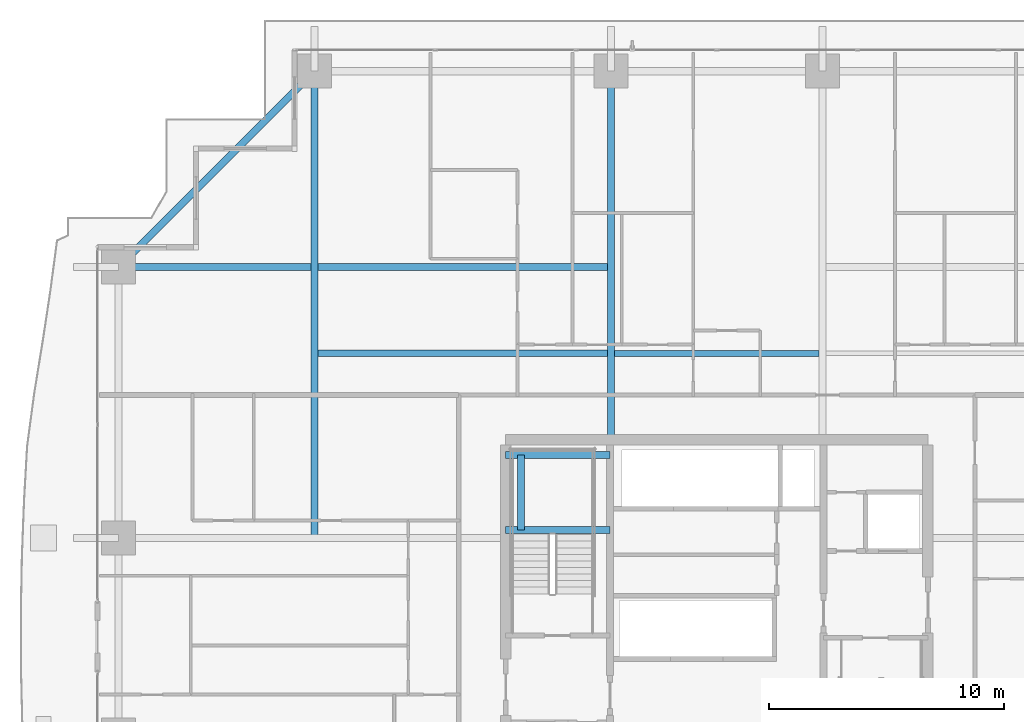
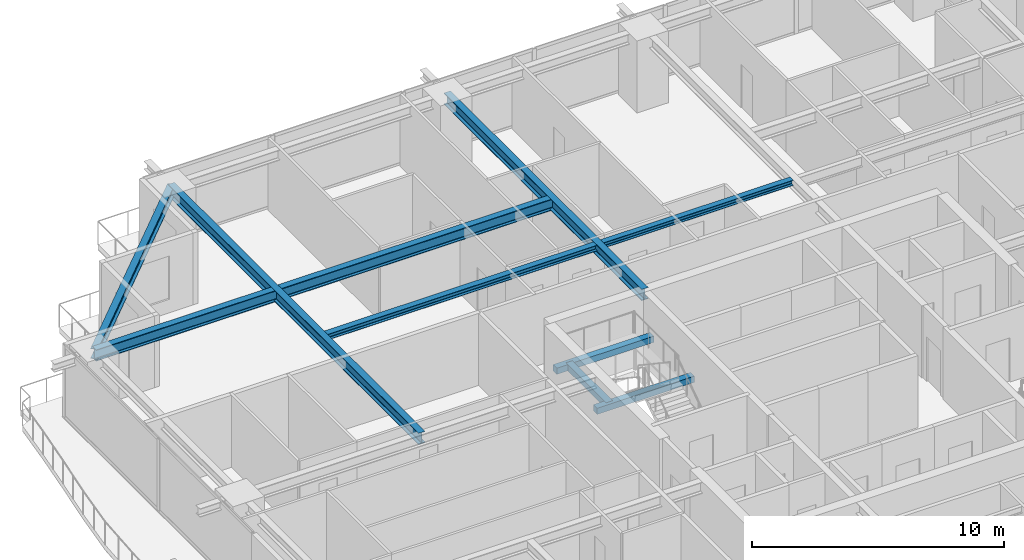
# One storey, part 19 of 41: 9 beams.
"""IFC4 building model written with IfcOpenShell, lengths in metres."""

from ifc_helpers import new_model, si_unit, direction, frame, origin, origin_2d, place, context, subcontext, project, spatial, rectangle, i_section, extrude, source, transform, mapped, material, material_profile, profile_set, type_object, element, save


model = new_model("IFC4")

# Units and contexts
model_context = context("Model", 3, precision=1e-05, world=origin(), true_north=direction((0.0, 1.0)))
body_context = subcontext(model_context, "Body", "Model", "MODEL_VIEW")
ifc_project = project(units=[si_unit("LENGTHUNIT", "METRE"), si_unit("AREAUNIT", "SQUARE_METRE"), si_unit("VOLUMEUNIT", "CUBIC_METRE"), si_unit("PLANEANGLEUNIT", "RADIAN"), si_unit("MASSUNIT", "GRAM", prefix="KILO")], contexts=[model_context])

# Site, building, storey
site_placement = place(None, origin())
site = spatial("IfcSite", under=ifc_project, at=site_placement, CompositionType="ELEMENT")
building_placement = place(site_placement, origin())
building = spatial("IfcBuilding", under=site, at=building_placement, Name="Serunith Strait Residences", CompositionType="ELEMENT")
storey_placement = place(building_placement, frame((0.0, 0.0, 75.449951171875)))
storey = spatial("IfcBuildingStorey", under=building, at=storey_placement, Name="L18", CompositionType="ELEMENT", Elevation=75.449951171875)

# Beams
ifc_material_1 = material(Name="Steel S355J2", Category="steel")
ifc_material_profile_1 = material_profile(ifc_material_1, i_section(OverallWidth=0.300048828125, OverallDepth=0.550048828125, WebThickness=0.014892578125, FlangeThickness=0.029052734375, FilletRadius=0.027099609375, at=origin_2d()), Name="HEB 550")
ifc_profile_set_1 = profile_set([ifc_material_profile_1], Name="Steel S355J2")
beam_type_1 = type_object("IfcBeamType", Name="BM-HEB550", PredefinedType="BEAM", material=ifc_profile_set_1)
shared_shape_1 = source(origin(), body_context, "Body", "SweptSolid", [
    extrude(i_section(OverallWidth=0.300048828125, OverallDepth=0.550048828125, WebThickness=0.014892578125, FlangeThickness=0.029052734375, FilletRadius=0.027099609375, at=origin_2d()), origin(), (0.0, 0.0, 1.0), 15.699951171875),
])
beam_1_placement = place(storey_placement, frame((27.89990234375, 33.60009765625, 3.212158203125), z_axis=(0.0, 1.0, 0.0), x_axis=(-1.0, 0.0, 0.0)))
element("IfcBeam", 1, at=beam_1_placement, inside=storey, type_object=beam_type_1, Name="L18 Primary Floor Girder TC-N2", PredefinedType="BEAM", context=body_context, shape_type="MappedRepresentation", body=[
    mapped(shared_shape_1, transform((0.0, 0.0, 0.0), scale=1.0)),
])
shared_shape_2 = source(origin(), body_context, "Body", "SweptSolid", [
    extrude(i_section(OverallWidth=0.300048828125, OverallDepth=0.550048828125, WebThickness=0.014892578125, FlangeThickness=0.029052734375, FilletRadius=0.027099609375, at=origin_2d()), origin(), (0.0, 0.0, 1.0), 19.900146484375),
])
beam_2_placement = place(storey_placement, frame((15.25, 29.39990234375, 3.212158203125), z_axis=(0.0, 1.0, 0.0), x_axis=(-1.0, 0.0, 0.0)))
element("IfcBeam", 2, at=beam_2_placement, inside=storey, type_object=beam_type_1, Name="L18 Orthogonal Corner Girder TC-N1", PredefinedType="BEAM", context=body_context, shape_type="MappedRepresentation", body=[
    mapped(shared_shape_2, transform((0.0, 0.0, 0.0), scale=1.0)),
])
shared_shape_3 = source(origin(), body_context, "Body", "SweptSolid", [
    extrude(i_section(OverallWidth=0.300048828125, OverallDepth=0.550048828125, WebThickness=0.014892578125, FlangeThickness=0.029052734375, FilletRadius=0.027099609375, at=origin_2d()), origin(), (0.0, 0.0, 1.0), 21.0),
])
beam_3_placement = place(storey_placement, frame((27.89990234375, 40.949951171875, 3.212158203125), z_axis=(-1.0, 0.0, 0.0), x_axis=(0.0, -1.0, 0.0)))
element("IfcBeam", 3, at=beam_3_placement, inside=storey, type_object=beam_type_1, Name="L18 Orthogonal Corner Girder TC-W4", PredefinedType="BEAM", context=body_context, shape_type="MappedRepresentation", body=[
    mapped(shared_shape_3, transform((0.0, 0.0, 0.0), scale=1.0)),
])
ifc_material_profile_2 = material_profile(ifc_material_1, i_section(OverallWidth=0.300048828125, OverallDepth=0.5, WebThickness=0.014404296875, FlangeThickness=0.028076171875, FilletRadius=0.027099609375, at=origin_2d()), Name="HEB 500")
ifc_profile_set_2 = profile_set([ifc_material_profile_2], Name="Steel S355J2")
beam_type_2 = type_object("IfcBeamType", Name="BM-HEB500", PredefinedType="BEAM", material=ifc_profile_set_2)
shared_shape_4 = source(origin(), body_context, "Body", "SweptSolid", [
    extrude(i_section(OverallWidth=0.300048828125, OverallDepth=0.5, WebThickness=0.014404296875, FlangeThickness=0.028076171875, FilletRadius=0.027099609375, at=origin_2d()), origin(), (0.0, 0.0, 1.0), 11.808837890625),
])
beam_4_placement = place(storey_placement, frame((15.25, 49.300048828125, 3.20703125), z_axis=(-0.707106781187, -0.707106781187, 0.0), x_axis=(0.707106781187, -0.707106781187, 0.0)))
element("IfcBeam", 4, at=beam_4_placement, inside=storey, type_object=beam_type_2, Name="L18 Perimeter Ring Beam 12", PredefinedType="BEAM", context=body_context, shape_type="MappedRepresentation", body=[
    mapped(shared_shape_4, transform((0.0, 0.0, 0.0), scale=1.0)),
])
ifc_material_profile_3 = material_profile(ifc_material_1, i_section(OverallWidth=0.280029296875, OverallDepth=0.280029296875, WebThickness=0.010498046875, FlangeThickness=0.01806640625, FilletRadius=0.02392578125, at=origin_2d()), Name="HEB 280")
ifc_profile_set_3 = profile_set([ifc_material_profile_3], Name="Steel S355J2")
beam_type_3 = type_object("IfcBeamType", Name="BM-HEB280", PredefinedType="JOIST", material=ifc_profile_set_3)
shared_shape_5 = source(origin(), body_context, "Body", "SweptSolid", [
    extrude(i_section(OverallWidth=0.280029296875, OverallDepth=0.280029296875, WebThickness=0.010498046875, FlangeThickness=0.01806640625, FilletRadius=0.02392578125, at=origin_2d()), origin(), (0.0, 0.0, 1.0), 12.35009765625),
])
beam_5_placement = place(storey_placement, frame((15.39990234375, 37.27490234375, 3.34716796875), z_axis=(1.0, 0.0, 0.0), x_axis=(0.0, 1.0, 0.0)))
element("IfcBeam", 5, at=beam_5_placement, inside=storey, type_object=beam_type_3, Name="L18 Composite Floor Joist 04", PredefinedType="JOIST", context=body_context, shape_type="MappedRepresentation", body=[
    mapped(shared_shape_5, transform((0.0, 0.0, 0.0), scale=1.0)),
])
ifc_material_profile_4 = material_profile(ifc_material_1, i_section(OverallWidth=0.260009765625, OverallDepth=0.260009765625, WebThickness=0.010009765625, FlangeThickness=0.017578125, FilletRadius=0.02392578125, at=origin_2d()), Name="HEB 260")
ifc_profile_set_4 = profile_set([ifc_material_profile_4], Name="Steel S355J2")
beam_type_4 = type_object("IfcBeamType", Name="BM-HEB260", PredefinedType="JOIST", material=ifc_profile_set_4)
shared_shape_6 = source(origin(), body_context, "Body", "SweptSolid", [
    extrude(i_section(OverallWidth=0.260009765625, OverallDepth=0.260009765625, WebThickness=0.010009765625, FlangeThickness=0.017578125, FilletRadius=0.02392578125, at=origin_2d()), origin(), (0.0, 0.0, 1.0), 8.699951171875),
])
beam_6_placement = place(storey_placement, frame((28.050048828125, 37.27490234375, 3.35693359375), z_axis=(1.0, 0.0, 0.0), x_axis=(0.0, 1.0, 0.0)))
element("IfcBeam", 6, at=beam_6_placement, inside=storey, type_object=beam_type_4, Name="L18 Composite Floor Joist 05", PredefinedType="JOIST", context=body_context, shape_type="MappedRepresentation", body=[
    mapped(shared_shape_6, transform((0.0, 0.0, 0.0), scale=1.0)),
])
ifc_material_2 = material(Name="Concrete C60/75", Category="concrete")
ifc_material_profile_5 = material_profile(ifc_material_2, rectangle(XDim=0.300048828125, YDim=0.300048828125, at=origin_2d()), Name="RC 300x300")
ifc_profile_set_5 = profile_set([ifc_material_profile_5], Name="Concrete C60/75")
beam_type_5 = type_object("IfcBeamType", Name="BM-LAND-300x300", PredefinedType="BEAM", material=ifc_profile_set_5)
shared_shape_7 = source(origin(), body_context, "Body", "SweptSolid", [
    extrude(rectangle(XDim=0.300048828125, YDim=0.300048828125, at=origin_2d()), origin(), (0.0, 0.0, 1.0), 4.4501953125),
])
for number, where, z_axis, x_axis, name in (
    (7, (23.39990234375, 29.75, 1.525146484375), (1.0, 0.0, 0.0), (0.0, 1.0, 0.0), "L18 ST-1 Landing Support Beam 1"),
    (8, (23.39990234375, 32.949951171875, 1.525146484375), (1.0, 0.0, 0.0), (0.0, 1.0, 0.0), "L18 ST-1 Landing Support Beam 2"),
):
    element("IfcBeam", number, at=place(storey_placement, frame(where, z_axis=z_axis, x_axis=x_axis)), inside=storey, type_object=beam_type_5, Name=name, PredefinedType="BEAM", context=body_context, shape_type="MappedRepresentation", body=[
        mapped(shared_shape_7, transform((0.0, 0.0, 0.0), scale=1.0)),
    ])
shared_shape_8 = source(origin(), body_context, "Body", "SweptSolid", [
    extrude(rectangle(XDim=0.300048828125, YDim=0.300048828125, at=origin_2d()), origin(), (0.0, 0.0, 1.0), 3.199951171875),
])
beam_7_placement = place(storey_placement, frame((24.050048828125, 29.75, 1.525146484375), z_axis=(0.0, 1.0, 0.0), x_axis=(-1.0, 0.0, 0.0)))
element("IfcBeam", 9, at=beam_7_placement, inside=storey, type_object=beam_type_5, Name="L18 ST-1 Landing Transverse Tie Beam", PredefinedType="BEAM", context=body_context, shape_type="MappedRepresentation", body=[
    mapped(shared_shape_8, transform((0.0, 0.0, 0.0), scale=1.0)),
])

save(model, "model.ifc")
